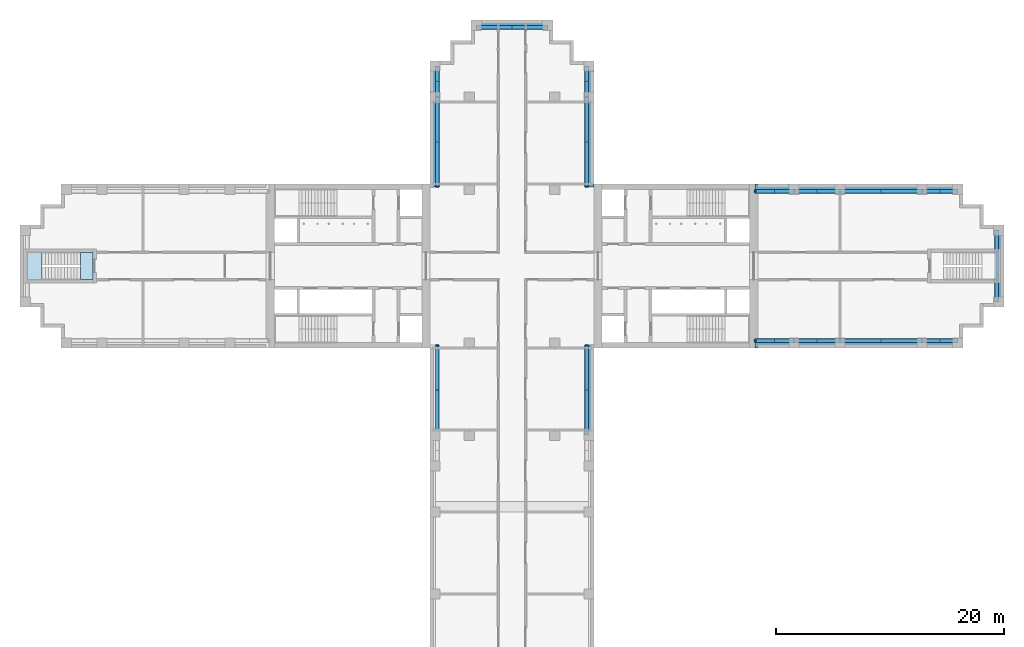
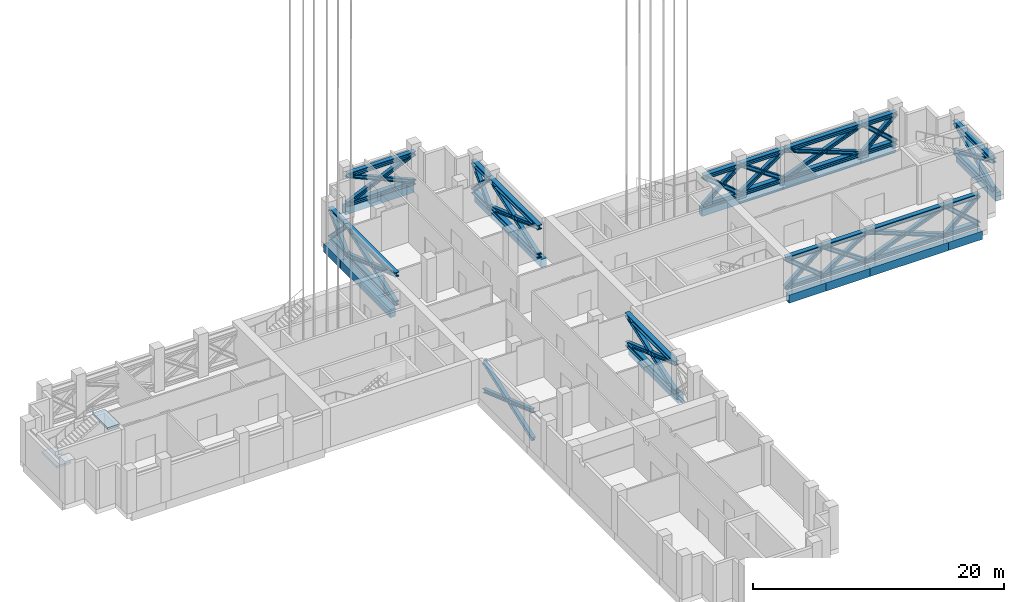
# One storey, part 2 of 22: 62 members, 15 beams, 2 slabs, 1 element without a shape of its own.
"""IFC4 building model written with IfcOpenShell, lengths in metres."""

from ifc_helpers import new_model, si_unit, direction, frame, origin, origin_2d, place, context, subcontext, project, spatial, polyline, rectangle, i_section, outline, extrude, material, layer, layer_set, material_profile, profile_set, type_object, element, aggregate, save


model = new_model("IFC4")

# Units and contexts
model_context = context("Model", 3, precision=1e-05, world=origin(), true_north=direction((0.0, 1.0)))
body_context = subcontext(model_context, "Body", "Model", "MODEL_VIEW")
ifc_project = project(units=[si_unit("LENGTHUNIT", "METRE"), si_unit("AREAUNIT", "SQUARE_METRE"), si_unit("VOLUMEUNIT", "CUBIC_METRE"), si_unit("PLANEANGLEUNIT", "RADIAN"), si_unit("MASSUNIT", "GRAM", prefix="KILO")], contexts=[model_context])

# Site, building, storey
site_placement = place(None, origin())
site = spatial("IfcSite", under=ifc_project, at=site_placement, CompositionType="ELEMENT")
building_placement = place(site_placement, origin())
building = spatial("IfcBuilding", under=site, at=building_placement, Name="Fustian Cross Tower", CompositionType="ELEMENT")
storey_placement = place(building_placement, frame((0.0, 0.0, 111.89990234375)))
storey = spatial("IfcBuildingStorey", under=building, at=storey_placement, Name="L35", CompositionType="ELEMENT", Elevation=111.89990234375)

# Members
ifc_material_1 = material(Name="Steel S355", Category="steel")
ifc_material_profile_1 = material_profile(ifc_material_1, i_section(OverallWidth=0.322265625, OverallDepth=0.365234375, WebThickness=0.02685546875, FlangeThickness=0.044189453125, FilletRadius=0.01513671875, at=origin_2d()), Name="UC 305x305x283")
ifc_profile_set_1 = profile_set([ifc_material_profile_1], Name="Steel S355")
member_type_1 = type_object("IfcMemberType", Name="BELT TRUSS BRACE UC 305x305x283 S355", PredefinedType="BRACE", material=ifc_profile_set_1)
for number, where, z_axis, x_axis, name in (
    (1, (21.35009765625, -6.570068359375, 0.400146484375), (0.773957299203, 0.0, 0.633237790257), (0.0, 1.0, 0.0), "BELT TRUSS BRACE L35-01X"),
    (2, (21.35009765625, -6.570068359375, 3.181884765625), (0.773957299203, 0.0, -0.633237790257), (0.0, 1.0, 0.0), "BELT TRUSS BRACE L35-01Y"),
):
    element("IfcMember", number, at=place(storey_placement, frame(where, z_axis=z_axis, x_axis=x_axis)), inside=storey, type_object=member_type_1, Name=name, PredefinedType="BRACE", context=body_context, shape_type="SweptSolid", body=[
        extrude(i_section(OverallWidth=0.322265625, OverallDepth=0.365234375, WebThickness=0.02685546875, FlangeThickness=0.044189453125, FilletRadius=0.01513671875, at=origin_2d()), origin(), (0.0, 0.0, 1.0), 4.392822265625),
    ])
for number, where, z_axis, x_axis, name in (
    (3, (24.75, -6.570068359375, 0.400146484375), (0.824295560063, 0.0, 0.566159720981), (0.0, 1.0, 0.0), "BELT TRUSS BRACE L35-02X"),
    (4, (24.75, -6.570068359375, 3.181884765625), (0.824295560063, 0.0, -0.566159720981), (0.0, 1.0, 0.0), "BELT TRUSS BRACE L35-02Y"),
):
    element("IfcMember", number, at=place(storey_placement, frame(where, z_axis=z_axis, x_axis=x_axis)), inside=storey, type_object=member_type_1, Name=name, PredefinedType="BRACE", context=body_context, shape_type="SweptSolid", body=[
        extrude(i_section(OverallWidth=0.322265625, OverallDepth=0.365234375, WebThickness=0.02685546875, FlangeThickness=0.044189453125, FilletRadius=0.01513671875, at=origin_2d()), origin(), (0.0, 0.0, 1.0), 4.913330078125),
    ])
for number, where, z_axis, x_axis, name in (
    (5, (28.800048828125, -6.570068359375, 0.400146484375), (0.932800792723, 0.0, 0.360392398775), (0.0, 1.0, 0.0), "BELT TRUSS BRACE L35-03X"),
    (6, (28.800048828125, -6.570068359375, 3.181884765625), (0.932800792723, 0.0, -0.360392398775), (0.0, 1.0, 0.0), "BELT TRUSS BRACE L35-03Y"),
):
    element("IfcMember", number, at=place(storey_placement, frame(where, z_axis=z_axis, x_axis=x_axis)), inside=storey, type_object=member_type_1, Name=name, PredefinedType="BRACE", context=body_context, shape_type="SweptSolid", body=[
        extrude(i_section(OverallWidth=0.322265625, OverallDepth=0.365234375, WebThickness=0.02685546875, FlangeThickness=0.044189453125, FilletRadius=0.01513671875, at=origin_2d()), origin(), (0.0, 0.0, 1.0), 7.71875),
    ])
for number, where, z_axis, x_axis, name in (
    (7, (36.0, -6.570068359375, 0.400146484375), (0.749552957864, 0.0, 0.661944380864), (0.0, 1.0, 0.0), "BELT TRUSS BRACE L35-04X"),
    (8, (36.0, -6.570068359375, 3.181884765625), (0.749552957864, 0.0, -0.661944380864), (0.0, 1.0, 0.0), "BELT TRUSS BRACE L35-04Y"),
):
    element("IfcMember", number, at=place(storey_placement, frame(where, z_axis=z_axis, x_axis=x_axis)), inside=storey, type_object=member_type_1, Name=name, PredefinedType="BRACE", context=body_context, shape_type="SweptSolid", body=[
        extrude(i_section(OverallWidth=0.322265625, OverallDepth=0.365234375, WebThickness=0.02685546875, FlangeThickness=0.044189453125, FilletRadius=0.01513671875, at=origin_2d()), origin(), (0.0, 0.0, 1.0), 4.202392578125),
    ])
for number, where, z_axis, x_axis, name in (
    (9, (42.570068359375, -3.14990234375, 0.400146484375), (0.0, 0.914788373585, 0.403933449412), (-1.0, 0.0, 0.0), "BELT TRUSS BRACE L35-05X"),
    (10, (42.570068359375, -3.14990234375, 3.181884765625), (0.0, 0.914788373585, -0.403933449412), (-1.0, 0.0, 0.0), "BELT TRUSS BRACE L35-05Y"),
):
    element("IfcMember", number, at=place(storey_placement, frame(where, z_axis=z_axis, x_axis=x_axis)), inside=storey, type_object=member_type_1, Name=name, PredefinedType="BRACE", context=body_context, shape_type="SweptSolid", body=[
        extrude(i_section(OverallWidth=0.322265625, OverallDepth=0.365234375, WebThickness=0.02685546875, FlangeThickness=0.044189453125, FilletRadius=0.01513671875, at=origin_2d()), origin(), (0.0, 0.0, 1.0), 6.88671875),
    ])
for number, where, z_axis, x_axis, name in (
    (11, (39.14990234375, 6.570068359375, 0.400146484375), (-0.749552957864, 0.0, 0.661944380864), (0.0, -1.0, 0.0), "BELT TRUSS BRACE L35-06X"),
    (12, (39.14990234375, 6.570068359375, 3.181884765625), (-0.749552957864, 0.0, -0.661944380864), (0.0, -1.0, 0.0), "BELT TRUSS BRACE L35-06Y"),
):
    element("IfcMember", number, at=place(storey_placement, frame(where, z_axis=z_axis, x_axis=x_axis)), inside=storey, type_object=member_type_1, Name=name, PredefinedType="BRACE", context=body_context, shape_type="SweptSolid", body=[
        extrude(i_section(OverallWidth=0.322265625, OverallDepth=0.365234375, WebThickness=0.02685546875, FlangeThickness=0.044189453125, FilletRadius=0.01513671875, at=origin_2d()), origin(), (0.0, 0.0, 1.0), 4.202392578125),
    ])
for number, where, z_axis, x_axis, name in (
    (13, (36.0, 6.570068359375, 0.400146484375), (-0.932800792723, 0.0, 0.360392398775), (0.0, -1.0, 0.0), "BELT TRUSS BRACE L35-07X"),
    (14, (36.0, 6.570068359375, 3.181884765625), (-0.932800792723, 0.0, -0.360392398775), (0.0, -1.0, 0.0), "BELT TRUSS BRACE L35-07Y"),
):
    element("IfcMember", number, at=place(storey_placement, frame(where, z_axis=z_axis, x_axis=x_axis)), inside=storey, type_object=member_type_1, Name=name, PredefinedType="BRACE", context=body_context, shape_type="SweptSolid", body=[
        extrude(i_section(OverallWidth=0.322265625, OverallDepth=0.365234375, WebThickness=0.02685546875, FlangeThickness=0.044189453125, FilletRadius=0.01513671875, at=origin_2d()), origin(), (0.0, 0.0, 1.0), 7.71875),
    ])
for number, where, z_axis, x_axis, name in (
    (15, (28.800048828125, 6.570068359375, 0.400146484375), (-0.824295560063, 0.0, 0.566159720981), (0.0, -1.0, 0.0), "BELT TRUSS BRACE L35-08X"),
    (16, (28.800048828125, 6.570068359375, 3.181884765625), (-0.824295560063, 0.0, -0.566159720981), (0.0, -1.0, 0.0), "BELT TRUSS BRACE L35-08Y"),
):
    element("IfcMember", number, at=place(storey_placement, frame(where, z_axis=z_axis, x_axis=x_axis)), inside=storey, type_object=member_type_1, Name=name, PredefinedType="BRACE", context=body_context, shape_type="SweptSolid", body=[
        extrude(i_section(OverallWidth=0.322265625, OverallDepth=0.365234375, WebThickness=0.02685546875, FlangeThickness=0.044189453125, FilletRadius=0.01513671875, at=origin_2d()), origin(), (0.0, 0.0, 1.0), 4.913330078125),
    ])
for number, where, z_axis, x_axis, name in (
    (17, (24.75, 6.570068359375, 0.400146484375), (-0.773957299203, 0.0, 0.633237790257), (0.0, -1.0, 0.0), "BELT TRUSS BRACE L35-09X"),
    (18, (24.75, 6.570068359375, 3.181884765625), (-0.773957299203, 0.0, -0.633237790257), (0.0, -1.0, 0.0), "BELT TRUSS BRACE L35-09Y"),
):
    element("IfcMember", number, at=place(storey_placement, frame(where, z_axis=z_axis, x_axis=x_axis)), inside=storey, type_object=member_type_1, Name=name, PredefinedType="BRACE", context=body_context, shape_type="SweptSolid", body=[
        extrude(i_section(OverallWidth=0.322265625, OverallDepth=0.365234375, WebThickness=0.02685546875, FlangeThickness=0.044189453125, FilletRadius=0.01513671875, at=origin_2d()), origin(), (0.0, 0.0, 1.0), 4.392822265625),
    ])
for number, where, z_axis, x_axis, name in (
    (19, (6.570068359375, 6.949951171875, 0.400146484375), (0.0, 0.943235467778, 0.33212475416), (-1.0, 0.0, 0.0), "BELT TRUSS BRACE L35-10X"),
    (20, (6.570068359375, 6.949951171875, 3.181884765625), (0.0, 0.943235467778, -0.33212475416), (-1.0, 0.0, 0.0), "BELT TRUSS BRACE L35-10Y"),
):
    element("IfcMember", number, at=place(storey_placement, frame(where, z_axis=z_axis, x_axis=x_axis)), inside=storey, type_object=member_type_1, Name=name, PredefinedType="BRACE", context=body_context, shape_type="SweptSolid", body=[
        extrude(i_section(OverallWidth=0.322265625, OverallDepth=0.365234375, WebThickness=0.02685546875, FlangeThickness=0.044189453125, FilletRadius=0.01513671875, at=origin_2d()), origin(), (0.0, 0.0, 1.0), 8.37548828125),
    ])
for number, where, z_axis, x_axis, name in (
    (21, (6.570068359375, 14.85009765625, 0.400146484375), (0.0, 0.696479192337, 0.717576988651), (-1.0, 0.0, 0.0), "BELT TRUSS BRACE L35-11X"),
    (22, (6.570068359375, 14.85009765625, 3.181884765625), (0.0, 0.696479192337, -0.717576988651), (-1.0, 0.0, 0.0), "BELT TRUSS BRACE L35-11Y"),
):
    element("IfcMember", number, at=place(storey_placement, frame(where, z_axis=z_axis, x_axis=x_axis)), inside=storey, type_object=member_type_1, Name=name, PredefinedType="BRACE", context=body_context, shape_type="SweptSolid", body=[
        extrude(i_section(OverallWidth=0.322265625, OverallDepth=0.365234375, WebThickness=0.02685546875, FlangeThickness=0.044189453125, FilletRadius=0.01513671875, at=origin_2d()), origin(), (0.0, 0.0, 1.0), 3.87646484375),
    ])
for number, where, z_axis, x_axis, name in (
    (23, (3.14990234375, 20.969970703125, 0.400146484375), (-0.914788373585, 0.0, 0.403933449412), (0.0, -1.0, 0.0), "BELT TRUSS BRACE L35-12X"),
    (24, (3.14990234375, 20.969970703125, 3.181884765625), (-0.914788373585, 0.0, -0.403933449412), (0.0, -1.0, 0.0), "BELT TRUSS BRACE L35-12Y"),
):
    element("IfcMember", number, at=place(storey_placement, frame(where, z_axis=z_axis, x_axis=x_axis)), inside=storey, type_object=member_type_1, Name=name, PredefinedType="BRACE", context=body_context, shape_type="SweptSolid", body=[
        extrude(i_section(OverallWidth=0.322265625, OverallDepth=0.365234375, WebThickness=0.02685546875, FlangeThickness=0.044189453125, FilletRadius=0.01513671875, at=origin_2d()), origin(), (0.0, 0.0, 1.0), 6.88671875),
    ])
for number, where, z_axis, x_axis, name in (
    (25, (-6.570068359375, 17.550048828125, 0.400146484375), (0.0, -0.696479192337, 0.717576988651), (1.0, 0.0, 0.0), "BELT TRUSS BRACE L35-13X"),
    (26, (-6.570068359375, 17.550048828125, 3.181884765625), (0.0, -0.696479192337, -0.717576988651), (1.0, 0.0, 0.0), "BELT TRUSS BRACE L35-13Y"),
):
    element("IfcMember", number, at=place(storey_placement, frame(where, z_axis=z_axis, x_axis=x_axis)), inside=storey, type_object=member_type_1, Name=name, PredefinedType="BRACE", context=body_context, shape_type="SweptSolid", body=[
        extrude(i_section(OverallWidth=0.322265625, OverallDepth=0.365234375, WebThickness=0.02685546875, FlangeThickness=0.044189453125, FilletRadius=0.01513671875, at=origin_2d()), origin(), (0.0, 0.0, 1.0), 3.87646484375),
    ])
for number, where, z_axis, x_axis, name in (
    (27, (-6.570068359375, 14.85009765625, 0.400146484375), (0.0, -0.943235467778, 0.33212475416), (1.0, 0.0, 0.0), "BELT TRUSS BRACE L35-14X"),
    (28, (-6.570068359375, 14.85009765625, 3.181884765625), (0.0, -0.943235467778, -0.33212475416), (1.0, 0.0, 0.0), "BELT TRUSS BRACE L35-14Y"),
    (29, (-6.570068359375, -6.949951171875, 0.400146484375), (0.0, -0.943235467778, 0.33212475416), (1.0, 0.0, 0.0), "BELT TRUSS BRACE L35-24X"),
    (30, (-6.570068359375, -6.949951171875, 3.181884765625), (0.0, -0.943235467778, -0.33212475416), (1.0, 0.0, 0.0), "BELT TRUSS BRACE L35-24Y"),
    (31, (6.570068359375, -14.85009765625, 0.400146484375), (0.0, 0.943235467778, 0.33212475416), (-1.0, 0.0, 0.0), "BELT TRUSS BRACE L35-27X"),
    (32, (6.570068359375, -14.85009765625, 3.181884765625), (0.0, 0.943235467778, -0.33212475416), (-1.0, 0.0, 0.0), "BELT TRUSS BRACE L35-27Y"),
):
    element("IfcMember", number, at=place(storey_placement, frame(where, z_axis=z_axis, x_axis=x_axis)), inside=storey, type_object=member_type_1, Name=name, PredefinedType="BRACE", context=body_context, shape_type="SweptSolid", body=[
        extrude(i_section(OverallWidth=0.322265625, OverallDepth=0.365234375, WebThickness=0.02685546875, FlangeThickness=0.044189453125, FilletRadius=0.01513671875, at=origin_2d()), origin(), (0.0, 0.0, 1.0), 8.37548828125),
    ])
ifc_material_2 = material(Name="Steel S355", Category="steel")
ifc_material_profile_2 = material_profile(ifc_material_2, i_section(OverallWidth=0.412109375, OverallDepth=0.4365234375, WebThickness=0.035888671875, FlangeThickness=0.05810546875, FilletRadius=0.01513671875, at=origin_2d()), Name="UC 356x406x467")
ifc_profile_set_2 = profile_set([ifc_material_profile_2], Name="Steel S355")
member_type_2 = type_object("IfcMemberType", Name="BELT TRUSS CHORD UC 356x406x467 S355", PredefinedType="CHORD", material=ifc_profile_set_2)
for number, where, z_axis, x_axis, name in (
    (33, (21.35009765625, -6.570068359375, 3.181884765625), (1.0, 0.0, 0.0), (0.0, 1.0, 0.0), "BELT TRUSS CHORD L35-01"),
    (34, (21.35009765625, -6.570068359375, 0.400146484375), (1.0, 0.0, 0.0), (0.0, 1.0, 0.0), "BELT TRUSS CHORD L35-01"),
):
    element("IfcMember", number, at=place(storey_placement, frame(where, z_axis=z_axis, x_axis=x_axis)), inside=storey, type_object=member_type_2, Name=name, PredefinedType="CHORD", context=body_context, shape_type="SweptSolid", body=[
        extrude(i_section(OverallWidth=0.412109375, OverallDepth=0.4365234375, WebThickness=0.035888671875, FlangeThickness=0.05810546875, FilletRadius=0.01513671875, at=origin_2d()), origin(), (0.0, 0.0, 1.0), 3.39990234375),
    ])
for number, where, z_axis, x_axis, name in (
    (35, (24.75, -6.570068359375, 3.181884765625), (1.0, 0.0, 0.0), (0.0, 1.0, 0.0), "BELT TRUSS CHORD L35-02"),
    (36, (24.75, -6.570068359375, 0.400146484375), (1.0, 0.0, 0.0), (0.0, 1.0, 0.0), "BELT TRUSS CHORD L35-02"),
):
    element("IfcMember", number, at=place(storey_placement, frame(where, z_axis=z_axis, x_axis=x_axis)), inside=storey, type_object=member_type_2, Name=name, PredefinedType="CHORD", context=body_context, shape_type="SweptSolid", body=[
        extrude(i_section(OverallWidth=0.412109375, OverallDepth=0.4365234375, WebThickness=0.035888671875, FlangeThickness=0.05810546875, FilletRadius=0.01513671875, at=origin_2d()), origin(), (0.0, 0.0, 1.0), 4.050048828125),
    ])
for number, where, z_axis, x_axis, name in (
    (37, (28.800048828125, -6.570068359375, 3.181884765625), (1.0, 0.0, 0.0), (0.0, 1.0, 0.0), "BELT TRUSS CHORD L35-03"),
    (38, (28.800048828125, -6.570068359375, 0.400146484375), (1.0, 0.0, 0.0), (0.0, 1.0, 0.0), "BELT TRUSS CHORD L35-03"),
):
    element("IfcMember", number, at=place(storey_placement, frame(where, z_axis=z_axis, x_axis=x_axis)), inside=storey, type_object=member_type_2, Name=name, PredefinedType="CHORD", context=body_context, shape_type="SweptSolid", body=[
        extrude(i_section(OverallWidth=0.412109375, OverallDepth=0.4365234375, WebThickness=0.035888671875, FlangeThickness=0.05810546875, FilletRadius=0.01513671875, at=origin_2d()), origin(), (0.0, 0.0, 1.0), 7.199951171875),
    ])
for number, where, z_axis, x_axis, name in (
    (39, (36.0, -6.570068359375, 3.181884765625), (1.0, 0.0, 0.0), (0.0, 1.0, 0.0), "BELT TRUSS CHORD L35-04"),
    (40, (36.0, -6.570068359375, 0.400146484375), (1.0, 0.0, 0.0), (0.0, 1.0, 0.0), "BELT TRUSS CHORD L35-04"),
):
    element("IfcMember", number, at=place(storey_placement, frame(where, z_axis=z_axis, x_axis=x_axis)), inside=storey, type_object=member_type_2, Name=name, PredefinedType="CHORD", context=body_context, shape_type="SweptSolid", body=[
        extrude(i_section(OverallWidth=0.412109375, OverallDepth=0.4365234375, WebThickness=0.035888671875, FlangeThickness=0.05810546875, FilletRadius=0.01513671875, at=origin_2d()), origin(), (0.0, 0.0, 1.0), 3.14990234375),
    ])
for number, where, z_axis, x_axis, name in (
    (41, (42.570068359375, -3.14990234375, 3.181884765625), (0.0, 1.0, 0.0), (-1.0, 0.0, 0.0), "BELT TRUSS CHORD L35-05"),
    (42, (42.570068359375, -3.14990234375, 0.400146484375), (0.0, 1.0, 0.0), (-1.0, 0.0, 0.0), "BELT TRUSS CHORD L35-05"),
):
    element("IfcMember", number, at=place(storey_placement, frame(where, z_axis=z_axis, x_axis=x_axis)), inside=storey, type_object=member_type_2, Name=name, PredefinedType="CHORD", context=body_context, shape_type="SweptSolid", body=[
        extrude(i_section(OverallWidth=0.412109375, OverallDepth=0.4365234375, WebThickness=0.035888671875, FlangeThickness=0.05810546875, FilletRadius=0.01513671875, at=origin_2d()), origin(), (0.0, 0.0, 1.0), 6.2998046875),
    ])
for number, where, z_axis, x_axis, name in (
    (43, (39.14990234375, 6.570068359375, 3.181884765625), (-1.0, 0.0, 0.0), (0.0, -1.0, 0.0), "BELT TRUSS CHORD L35-06"),
    (44, (39.14990234375, 6.570068359375, 0.400146484375), (-1.0, 0.0, 0.0), (0.0, -1.0, 0.0), "BELT TRUSS CHORD L35-06"),
):
    element("IfcMember", number, at=place(storey_placement, frame(where, z_axis=z_axis, x_axis=x_axis)), inside=storey, type_object=member_type_2, Name=name, PredefinedType="CHORD", context=body_context, shape_type="SweptSolid", body=[
        extrude(i_section(OverallWidth=0.412109375, OverallDepth=0.4365234375, WebThickness=0.035888671875, FlangeThickness=0.05810546875, FilletRadius=0.01513671875, at=origin_2d()), origin(), (0.0, 0.0, 1.0), 3.14990234375),
    ])
for number, where, z_axis, x_axis, name in (
    (45, (36.0, 6.570068359375, 3.181884765625), (-1.0, 0.0, 0.0), (0.0, -1.0, 0.0), "BELT TRUSS CHORD L35-07"),
    (46, (36.0, 6.570068359375, 0.400146484375), (-1.0, 0.0, 0.0), (0.0, -1.0, 0.0), "BELT TRUSS CHORD L35-07"),
):
    element("IfcMember", number, at=place(storey_placement, frame(where, z_axis=z_axis, x_axis=x_axis)), inside=storey, type_object=member_type_2, Name=name, PredefinedType="CHORD", context=body_context, shape_type="SweptSolid", body=[
        extrude(i_section(OverallWidth=0.412109375, OverallDepth=0.4365234375, WebThickness=0.035888671875, FlangeThickness=0.05810546875, FilletRadius=0.01513671875, at=origin_2d()), origin(), (0.0, 0.0, 1.0), 7.199951171875),
    ])
for number, where, z_axis, x_axis, name in (
    (47, (28.800048828125, 6.570068359375, 3.181884765625), (-1.0, 0.0, 0.0), (0.0, -1.0, 0.0), "BELT TRUSS CHORD L35-08"),
    (48, (28.800048828125, 6.570068359375, 0.400146484375), (-1.0, 0.0, 0.0), (0.0, -1.0, 0.0), "BELT TRUSS CHORD L35-08"),
):
    element("IfcMember", number, at=place(storey_placement, frame(where, z_axis=z_axis, x_axis=x_axis)), inside=storey, type_object=member_type_2, Name=name, PredefinedType="CHORD", context=body_context, shape_type="SweptSolid", body=[
        extrude(i_section(OverallWidth=0.412109375, OverallDepth=0.4365234375, WebThickness=0.035888671875, FlangeThickness=0.05810546875, FilletRadius=0.01513671875, at=origin_2d()), origin(), (0.0, 0.0, 1.0), 4.050048828125),
    ])
for number, where, z_axis, x_axis, name in (
    (49, (24.75, 6.570068359375, 3.181884765625), (-1.0, 0.0, 0.0), (0.0, -1.0, 0.0), "BELT TRUSS CHORD L35-09"),
    (50, (24.75, 6.570068359375, 0.400146484375), (-1.0, 0.0, 0.0), (0.0, -1.0, 0.0), "BELT TRUSS CHORD L35-09"),
):
    element("IfcMember", number, at=place(storey_placement, frame(where, z_axis=z_axis, x_axis=x_axis)), inside=storey, type_object=member_type_2, Name=name, PredefinedType="CHORD", context=body_context, shape_type="SweptSolid", body=[
        extrude(i_section(OverallWidth=0.412109375, OverallDepth=0.4365234375, WebThickness=0.035888671875, FlangeThickness=0.05810546875, FilletRadius=0.01513671875, at=origin_2d()), origin(), (0.0, 0.0, 1.0), 3.39990234375),
    ])
for number, where, z_axis, x_axis, name in (
    (51, (6.570068359375, 6.949951171875, 3.181884765625), (0.0, 1.0, 0.0), (-1.0, 0.0, 0.0), "BELT TRUSS CHORD L35-10"),
    (52, (6.570068359375, 6.949951171875, 0.400146484375), (0.0, 1.0, 0.0), (-1.0, 0.0, 0.0), "BELT TRUSS CHORD L35-10"),
):
    element("IfcMember", number, at=place(storey_placement, frame(where, z_axis=z_axis, x_axis=x_axis)), inside=storey, type_object=member_type_2, Name=name, PredefinedType="CHORD", context=body_context, shape_type="SweptSolid", body=[
        extrude(i_section(OverallWidth=0.412109375, OverallDepth=0.4365234375, WebThickness=0.035888671875, FlangeThickness=0.05810546875, FilletRadius=0.01513671875, at=origin_2d()), origin(), (0.0, 0.0, 1.0), 7.900146484375),
    ])
for number, where, z_axis, x_axis, name in (
    (53, (6.570068359375, 14.85009765625, 3.181884765625), (0.0, 1.0, 0.0), (-1.0, 0.0, 0.0), "BELT TRUSS CHORD L35-11"),
    (54, (6.570068359375, 14.85009765625, 0.400146484375), (0.0, 1.0, 0.0), (-1.0, 0.0, 0.0), "BELT TRUSS CHORD L35-11"),
):
    element("IfcMember", number, at=place(storey_placement, frame(where, z_axis=z_axis, x_axis=x_axis)), inside=storey, type_object=member_type_2, Name=name, PredefinedType="CHORD", context=body_context, shape_type="SweptSolid", body=[
        extrude(i_section(OverallWidth=0.412109375, OverallDepth=0.4365234375, WebThickness=0.035888671875, FlangeThickness=0.05810546875, FilletRadius=0.01513671875, at=origin_2d()), origin(), (0.0, 0.0, 1.0), 2.699951171875),
    ])
for number, where, z_axis, x_axis, name in (
    (55, (3.14990234375, 20.969970703125, 3.181884765625), (-1.0, 0.0, 0.0), (0.0, -1.0, 0.0), "BELT TRUSS CHORD L35-12"),
    (56, (3.14990234375, 20.969970703125, 0.400146484375), (-1.0, 0.0, 0.0), (0.0, -1.0, 0.0), "BELT TRUSS CHORD L35-12"),
):
    element("IfcMember", number, at=place(storey_placement, frame(where, z_axis=z_axis, x_axis=x_axis)), inside=storey, type_object=member_type_2, Name=name, PredefinedType="CHORD", context=body_context, shape_type="SweptSolid", body=[
        extrude(i_section(OverallWidth=0.412109375, OverallDepth=0.4365234375, WebThickness=0.035888671875, FlangeThickness=0.05810546875, FilletRadius=0.01513671875, at=origin_2d()), origin(), (0.0, 0.0, 1.0), 6.2998046875),
    ])
for number, where, z_axis, x_axis, name in (
    (57, (-6.570068359375, 17.550048828125, 3.181884765625), (0.0, -1.0, 0.0), (1.0, 0.0, 0.0), "BELT TRUSS CHORD L35-13"),
    (58, (-6.570068359375, 17.550048828125, 0.400146484375), (0.0, -1.0, 0.0), (1.0, 0.0, 0.0), "BELT TRUSS CHORD L35-13"),
):
    element("IfcMember", number, at=place(storey_placement, frame(where, z_axis=z_axis, x_axis=x_axis)), inside=storey, type_object=member_type_2, Name=name, PredefinedType="CHORD", context=body_context, shape_type="SweptSolid", body=[
        extrude(i_section(OverallWidth=0.412109375, OverallDepth=0.4365234375, WebThickness=0.035888671875, FlangeThickness=0.05810546875, FilletRadius=0.01513671875, at=origin_2d()), origin(), (0.0, 0.0, 1.0), 2.699951171875),
    ])
for number, where, z_axis, x_axis, name in (
    (59, (-6.570068359375, 14.85009765625, 3.181884765625), (0.0, -1.0, 0.0), (1.0, 0.0, 0.0), "BELT TRUSS CHORD L35-14"),
    (60, (-6.570068359375, 14.85009765625, 0.400146484375), (0.0, -1.0, 0.0), (1.0, 0.0, 0.0), "BELT TRUSS CHORD L35-14"),
    (61, (6.570068359375, -14.85009765625, 3.181884765625), (0.0, 1.0, 0.0), (-1.0, 0.0, 0.0), "BELT TRUSS CHORD L35-27"),
    (62, (6.570068359375, -14.85009765625, 0.400146484375), (0.0, 1.0, 0.0), (-1.0, 0.0, 0.0), "BELT TRUSS CHORD L35-27"),
):
    element("IfcMember", number, at=place(storey_placement, frame(where, z_axis=z_axis, x_axis=x_axis)), inside=storey, type_object=member_type_2, Name=name, PredefinedType="CHORD", context=body_context, shape_type="SweptSolid", body=[
        extrude(i_section(OverallWidth=0.412109375, OverallDepth=0.4365234375, WebThickness=0.035888671875, FlangeThickness=0.05810546875, FilletRadius=0.01513671875, at=origin_2d()), origin(), (0.0, 0.0, 1.0), 7.900146484375),
    ])

# Beams
ifc_material_3 = material(Name="Concrete C50/60", Category="concrete")
ifc_material_profile_3 = material_profile(ifc_material_3, rectangle(XDim=0.5, YDim=0.800048828125, at=origin_2d()), Name="RC 500x800")
ifc_profile_set_3 = profile_set([ifc_material_profile_3], Name="Concrete C50/60")
beam_type = type_object("IfcBeamType", Name="EDGE BEAM RC 500x800 C50/60", PredefinedType="SPANDREL", material=ifc_profile_set_3)
beam_1_placement = place(storey_placement, frame((21.35009765625, -6.949951171875, -0.39990234375), z_axis=(1.0, 0.0, 0.0), x_axis=(0.0, 1.0, 0.0)))
element("IfcBeam", 63, at=beam_1_placement, inside=storey, type_object=beam_type, Name="EDGE BEAM L35-01", PredefinedType="SPANDREL", context=body_context, shape_type="SweptSolid", body=[
    extrude(rectangle(XDim=0.5, YDim=0.800048828125, at=origin_2d()), origin(), (0.0, 0.0, 1.0), 3.39990234375),
])
beam_2_placement = place(storey_placement, frame((24.75, -6.949951171875, -0.39990234375), z_axis=(1.0, 0.0, 0.0), x_axis=(0.0, 1.0, 0.0)))
element("IfcBeam", 64, at=beam_2_placement, inside=storey, type_object=beam_type, Name="EDGE BEAM L35-02", PredefinedType="SPANDREL", context=body_context, shape_type="SweptSolid", body=[
    extrude(rectangle(XDim=0.5, YDim=0.800048828125, at=origin_2d()), origin(), (0.0, 0.0, 1.0), 4.050048828125),
])
beam_3_placement = place(storey_placement, frame((28.800048828125, -6.949951171875, -0.39990234375), z_axis=(1.0, 0.0, 0.0), x_axis=(0.0, 1.0, 0.0)))
element("IfcBeam", 65, at=beam_3_placement, inside=storey, type_object=beam_type, Name="EDGE BEAM L35-03", PredefinedType="SPANDREL", context=body_context, shape_type="SweptSolid", body=[
    extrude(rectangle(XDim=0.5, YDim=0.800048828125, at=origin_2d()), origin(), (0.0, 0.0, 1.0), 7.199951171875),
])
beam_4_placement = place(storey_placement, frame((36.0, -6.949951171875, -0.39990234375), z_axis=(1.0, 0.0, 0.0), x_axis=(0.0, 1.0, 0.0)))
element("IfcBeam", 66, at=beam_4_placement, inside=storey, type_object=beam_type, Name="EDGE BEAM L35-04", PredefinedType="SPANDREL", context=body_context, shape_type="SweptSolid", body=[
    extrude(rectangle(XDim=0.5, YDim=0.800048828125, at=origin_2d()), origin(), (0.0, 0.0, 1.0), 3.14990234375),
])
beam_5_placement = place(storey_placement, frame((42.949951171875, -3.14990234375, -0.39990234375), z_axis=(0.0, 1.0, 0.0), x_axis=(-1.0, 0.0, 0.0)))
element("IfcBeam", 67, at=beam_5_placement, inside=storey, type_object=beam_type, Name="EDGE BEAM L35-05", PredefinedType="SPANDREL", context=body_context, shape_type="SweptSolid", body=[
    extrude(rectangle(XDim=0.5, YDim=0.800048828125, at=origin_2d()), origin(), (0.0, 0.0, 1.0), 6.2998046875),
])
beam_6_placement = place(storey_placement, frame((39.14990234375, 6.949951171875, -0.39990234375), z_axis=(-1.0, 0.0, 0.0), x_axis=(0.0, -1.0, 0.0)))
element("IfcBeam", 68, at=beam_6_placement, inside=storey, type_object=beam_type, Name="EDGE BEAM L35-06", PredefinedType="SPANDREL", context=body_context, shape_type="SweptSolid", body=[
    extrude(rectangle(XDim=0.5, YDim=0.800048828125, at=origin_2d()), origin(), (0.0, 0.0, 1.0), 3.14990234375),
])
beam_7_placement = place(storey_placement, frame((36.0, 6.949951171875, -0.39990234375), z_axis=(-1.0, 0.0, 0.0), x_axis=(0.0, -1.0, 0.0)))
element("IfcBeam", 69, at=beam_7_placement, inside=storey, type_object=beam_type, Name="EDGE BEAM L35-07", PredefinedType="SPANDREL", context=body_context, shape_type="SweptSolid", body=[
    extrude(rectangle(XDim=0.5, YDim=0.800048828125, at=origin_2d()), origin(), (0.0, 0.0, 1.0), 7.199951171875),
])
beam_8_placement = place(storey_placement, frame((28.800048828125, 6.949951171875, -0.39990234375), z_axis=(-1.0, 0.0, 0.0), x_axis=(0.0, -1.0, 0.0)))
element("IfcBeam", 70, at=beam_8_placement, inside=storey, type_object=beam_type, Name="EDGE BEAM L35-08", PredefinedType="SPANDREL", context=body_context, shape_type="SweptSolid", body=[
    extrude(rectangle(XDim=0.5, YDim=0.800048828125, at=origin_2d()), origin(), (0.0, 0.0, 1.0), 4.050048828125),
])
beam_9_placement = place(storey_placement, frame((24.75, 6.949951171875, -0.39990234375), z_axis=(-1.0, 0.0, 0.0), x_axis=(0.0, -1.0, 0.0)))
element("IfcBeam", 71, at=beam_9_placement, inside=storey, type_object=beam_type, Name="EDGE BEAM L35-09", PredefinedType="SPANDREL", context=body_context, shape_type="SweptSolid", body=[
    extrude(rectangle(XDim=0.5, YDim=0.800048828125, at=origin_2d()), origin(), (0.0, 0.0, 1.0), 3.39990234375),
])
beam_10_placement = place(storey_placement, frame((6.949951171875, 6.949951171875, -0.39990234375), z_axis=(0.0, 1.0, 0.0), x_axis=(-1.0, 0.0, 0.0)))
element("IfcBeam", 72, at=beam_10_placement, inside=storey, type_object=beam_type, Name="EDGE BEAM L35-10", PredefinedType="SPANDREL", context=body_context, shape_type="SweptSolid", body=[
    extrude(rectangle(XDim=0.5, YDim=0.800048828125, at=origin_2d()), origin(), (0.0, 0.0, 1.0), 7.900146484375),
])
beam_11_placement = place(storey_placement, frame((6.949951171875, 14.85009765625, -0.39990234375), z_axis=(0.0, 1.0, 0.0), x_axis=(-1.0, 0.0, 0.0)))
element("IfcBeam", 73, at=beam_11_placement, inside=storey, type_object=beam_type, Name="EDGE BEAM L35-11", PredefinedType="SPANDREL", context=body_context, shape_type="SweptSolid", body=[
    extrude(rectangle(XDim=0.5, YDim=0.800048828125, at=origin_2d()), origin(), (0.0, 0.0, 1.0), 2.699951171875),
])
beam_12_placement = place(storey_placement, frame((3.14990234375, 21.35009765625, -0.39990234375), z_axis=(-1.0, 0.0, 0.0), x_axis=(0.0, -1.0, 0.0)))
element("IfcBeam", 74, at=beam_12_placement, inside=storey, type_object=beam_type, Name="EDGE BEAM L35-12", PredefinedType="SPANDREL", context=body_context, shape_type="SweptSolid", body=[
    extrude(rectangle(XDim=0.5, YDim=0.800048828125, at=origin_2d()), origin(), (0.0, 0.0, 1.0), 6.2998046875),
])
beam_13_placement = place(storey_placement, frame((-6.949951171875, 17.550048828125, -0.39990234375), z_axis=(0.0, -1.0, 0.0), x_axis=(1.0, 0.0, 0.0)))
element("IfcBeam", 75, at=beam_13_placement, inside=storey, type_object=beam_type, Name="EDGE BEAM L35-13", PredefinedType="SPANDREL", context=body_context, shape_type="SweptSolid", body=[
    extrude(rectangle(XDim=0.5, YDim=0.800048828125, at=origin_2d()), origin(), (0.0, 0.0, 1.0), 2.699951171875),
])
for number, where, z_axis, x_axis, name in (
    (76, (-6.949951171875, 14.85009765625, -0.39990234375), (0.0, -1.0, 0.0), (1.0, 0.0, 0.0), "EDGE BEAM L35-14"),
    (77, (6.949951171875, -14.85009765625, -0.39990234375), (0.0, 1.0, 0.0), (-1.0, 0.0, 0.0), "EDGE BEAM L35-36"),
):
    element("IfcBeam", number, at=place(storey_placement, frame(where, z_axis=z_axis, x_axis=x_axis)), inside=storey, type_object=beam_type, Name=name, PredefinedType="SPANDREL", context=body_context, shape_type="SweptSolid", body=[
        extrude(rectangle(XDim=0.5, YDim=0.800048828125, at=origin_2d()), origin(), (0.0, 0.0, 1.0), 7.900146484375),
    ])

# Stair, slabs
ifc_material_4 = material(Name="Concrete C50/60", Category="concrete")
stair_type = type_object("IfcStairType", Name="STAIR 1100 HALF TURN", PredefinedType="HALF_TURN_STAIR", material=ifc_material_4)
stair_placement = place(storey_placement, origin())
stair = element("IfcStair", 78, at=stair_placement, inside=storey, type_object=stair_type, Name="Stair ST9", PredefinedType="HALF_TURN_STAIR")
ifc_material_5 = material(Name="Concrete C50/60", Category="concrete")
ifc_layer = layer(ifc_material_5, 0.199951171875)
ifc_layer_set = layer_set([ifc_layer], Name="Concrete C50/60")
slab_type = type_object("IfcSlabType", Name="STAIR LANDING", PredefinedType="LANDING", material=ifc_layer_set)
slab_1_placement = place(storey_placement, frame((0.0, 0.0, 1.900146484375)))
slab_1 = element("IfcSlab", 79, at=slab_1_placement, type_object=slab_type, Name="ST9 landing 1", PredefinedType="LANDING", context=body_context, shape_type="SweptSolid", body=[
    extrude(outline(polyline([(-41.260009765625, -1.199951171875), (-42.60009765625, -1.199951171875), (-42.60009765625, 1.199951171875), (-41.260009765625, 1.199951171875), (-41.260009765625, -1.199951171875)])), origin(), (0.0, 0.0, 1.0), 0.199951171875),
])
slab_2_placement = place(storey_placement, frame((0.0, 0.0, 4.0)))
slab_2 = element("IfcSlab", 80, at=slab_2_placement, type_object=slab_type, Name="ST9 landing 2", PredefinedType="LANDING", context=body_context, shape_type="SweptSolid", body=[
    extrude(outline(polyline([(-36.800048828125, -1.199951171875), (-37.89990234375, -1.199951171875), (-37.89990234375, 1.199951171875), (-36.800048828125, 1.199951171875), (-36.800048828125, -1.199951171875)])), origin(), (0.0, 0.0, 1.0), 0.2001953125),
])
aggregate(stair, [slab_1, slab_2])

save(model, "model.ifc")
